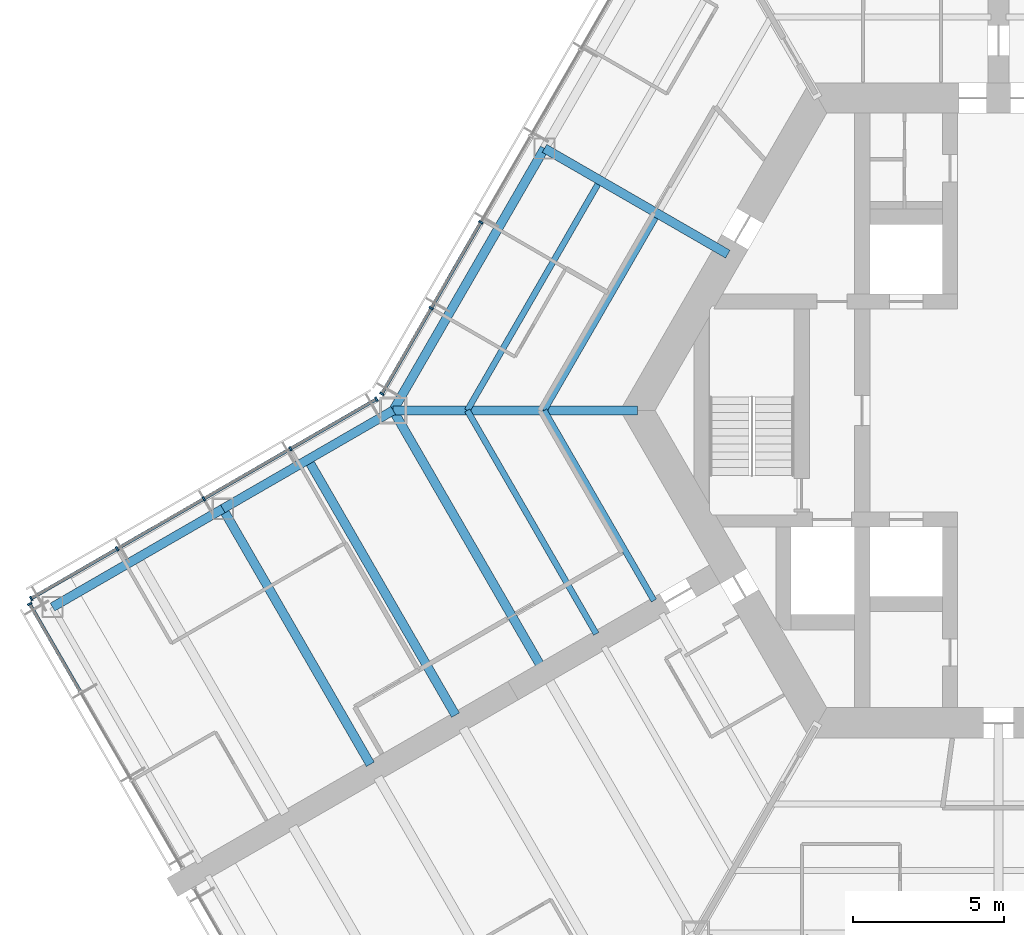
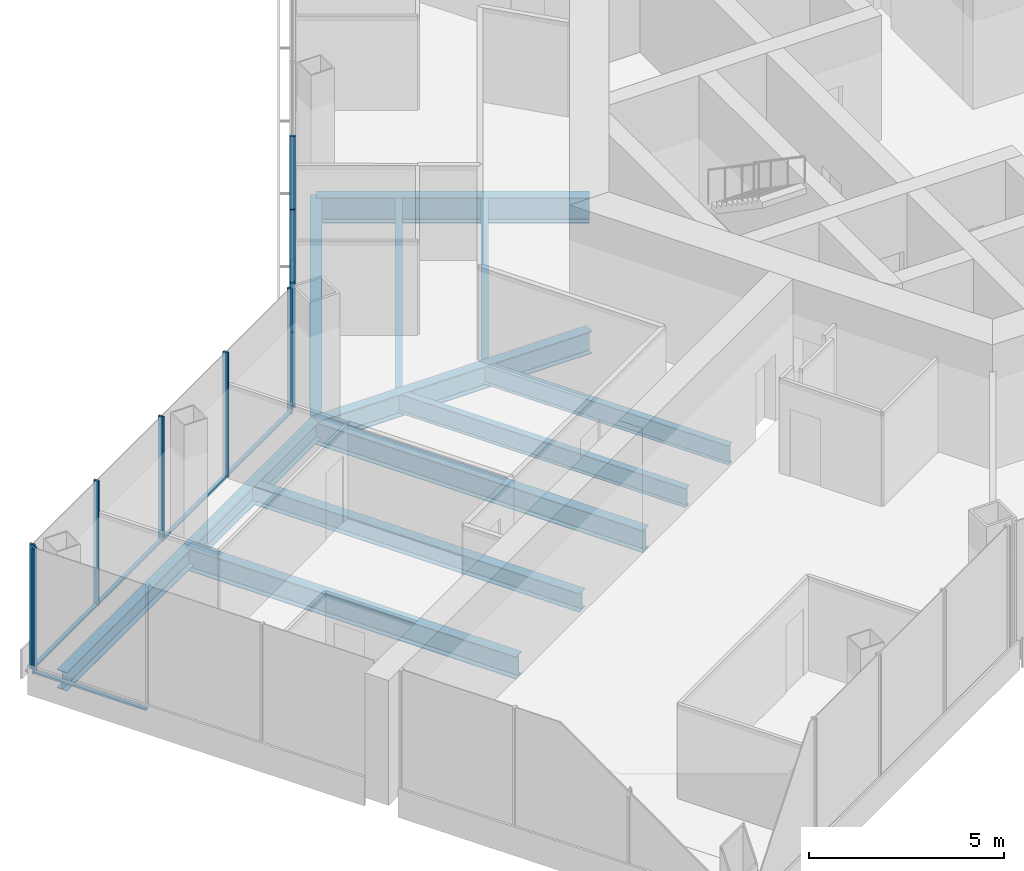
# One storey, part 4 of 18: 16 members, 12 beams, 3 elements without a shape of their own.
"""IFC4 building model written with IfcOpenShell, lengths in metres."""

from ifc_helpers import new_model, si_unit, direction, frame, origin, origin_2d, place, context, subcontext, project, spatial, rectangle, i_section, extrude, material, material_profile, profile_set, type_object, element, aggregate, save


model = new_model("IFC4")

# Units and contexts
model_context = context("Model", 3, precision=1e-05, world=origin(), true_north=direction((0.0, 1.0)))
body_context = subcontext(model_context, "Body", "Model", "MODEL_VIEW")
ifc_project = project(units=[si_unit("LENGTHUNIT", "METRE"), si_unit("AREAUNIT", "SQUARE_METRE"), si_unit("VOLUMEUNIT", "CUBIC_METRE"), si_unit("PLANEANGLEUNIT", "RADIAN"), si_unit("MASSUNIT", "GRAM", prefix="KILO")], contexts=[model_context])

# Site, building, storey
site_placement = place(None, origin())
site = spatial("IfcSite", under=ifc_project, at=site_placement, CompositionType="ELEMENT")
building_placement = place(site_placement, origin())
building = spatial("IfcBuilding", under=site, at=building_placement, Name="Kasaneha Research Tower", CompositionType="ELEMENT")
storey_placement = place(building_placement, frame((0.0, 0.0, 133.10009765625)))
storey = spatial("IfcBuildingStorey", under=building, at=storey_placement, Name="L33", CompositionType="ELEMENT", Elevation=133.10009765625)

# Beams
ifc_material_1 = material(Name="Steel SN490B", Category="steel")
ifc_material_profile_1 = material_profile(ifc_material_1, i_section(OverallWidth=0.199951171875, OverallDepth=0.60009765625, WebThickness=0.010986328125, FlangeThickness=0.01708984375, FilletRadius=0.012939453125, at=origin_2d()), Name="H-600x200x11x17")
ifc_profile_set_1 = profile_set([ifc_material_profile_1], Name="Steel SN490B")
beam_type_1 = type_object("IfcBeamType", Name="B1-3 secondary beam H-600x200x11x17", PredefinedType="JOIST", material=ifc_profile_set_1)
beam_1_placement = place(storey_placement, frame((-15.010986328125, 0.0, -0.4501953125), z_axis=(0.499994443168, 0.866028611999, 0.0), x_axis=(-0.866028611999, 0.499994443168, 0.0)))
element("IfcBeam", 1, at=beam_1_placement, inside=storey, type_object=beam_type_1, Name="Secondary beam RS150R1 L33", PredefinedType="JOIST", context=body_context, shape_type="SweptSolid", body=[
    extrude(i_section(OverallWidth=0.199951171875, OverallDepth=0.60009765625, WebThickness=0.010986328125, FlangeThickness=0.01708984375, FilletRadius=0.012939453125, at=origin_2d()), origin(), (0.0, 0.0, 1.0), 7.35546875),
])
beam_2_placement = place(storey_placement, frame((-17.551513671875, 0.0, -0.4501953125), z_axis=(0.5000050195, 0.866022505755, 0.0), x_axis=(-0.866022505755, 0.5000050195, 0.0)))
element("IfcBeam", 2, at=beam_2_placement, inside=storey, type_object=beam_type_1, Name="Secondary beam RS150R2 L33", PredefinedType="JOIST", context=body_context, shape_type="SweptSolid", body=[
    extrude(i_section(OverallWidth=0.199951171875, OverallDepth=0.60009765625, WebThickness=0.010986328125, FlangeThickness=0.01708984375, FilletRadius=0.012939453125, at=origin_2d()), origin(), (0.0, 0.0, 1.0), 8.6259765625),
])
beam_3_placement = place(storey_placement, frame((-15.010986328125, 0.0, -0.4501953125), z_axis=(0.499993340521, -0.866029248602, 0.0), x_axis=(0.866029248602, 0.499993340521, 0.0)))
element("IfcBeam", 3, at=beam_3_placement, inside=storey, type_object=beam_type_1, Name="Secondary beam RS210L1 L33", PredefinedType="JOIST", context=body_context, shape_type="SweptSolid", body=[
    extrude(i_section(OverallWidth=0.199951171875, OverallDepth=0.60009765625, WebThickness=0.010986328125, FlangeThickness=0.01708984375, FilletRadius=0.012939453125, at=origin_2d()), origin(), (0.0, 0.0, 1.0), 7.25537109375),
])
beam_4_placement = place(storey_placement, frame((-17.551513671875, 0.0, -0.4501953125), z_axis=(0.500004205306, -0.866022975836, 0.0), x_axis=(0.866022975836, 0.500004205306, 0.0)))
element("IfcBeam", 4, at=beam_4_placement, inside=storey, type_object=beam_type_1, Name="Secondary beam RS210L2 L33", PredefinedType="JOIST", context=body_context, shape_type="SweptSolid", body=[
    extrude(i_section(OverallWidth=0.199951171875, OverallDepth=0.60009765625, WebThickness=0.010986328125, FlangeThickness=0.01708984375, FilletRadius=0.012939453125, at=origin_2d()), origin(), (0.0, 0.0, 1.0), 8.52587890625),
])
ifc_material_2 = material(Name="Steel SN490B", Category="steel")
ifc_material_profile_2 = material_profile(ifc_material_2, i_section(OverallWidth=0.300048828125, OverallDepth=0.58203125, WebThickness=0.011962890625, FlangeThickness=0.01708984375, FilletRadius=0.012939453125, at=origin_2d()), Name="H-582x300x12x17")
ifc_profile_set_2 = profile_set([ifc_material_profile_2], Name="Steel SN490B")
beam_type_2 = type_object("IfcBeamType", Name="B2-3 secondary beam H-582x300x12x17", PredefinedType="JOIST", material=ifc_profile_set_2)
beam_5_placement = place(storey_placement, frame((-22.814697265625, -1.625, -0.441162109375), z_axis=(0.499995560238, -0.866027967067, 0.0), x_axis=(0.866027967067, 0.499995560238, 0.0)))
element("IfcBeam", 5, at=beam_5_placement, inside=storey, type_object=beam_type_2, Name="Secondary beam WBBP1 L33", PredefinedType="JOIST", context=body_context, shape_type="SweptSolid", body=[
    extrude(i_section(OverallWidth=0.300048828125, OverallDepth=0.58203125, WebThickness=0.011962890625, FlangeThickness=0.01708984375, FilletRadius=0.012939453125, at=origin_2d()), origin(), (0.0, 0.0, 1.0), 9.75),
])

# Curtain wall, members
ifc_material_3 = material(Name="Glass and aluminium", Category="aluminium")
curtain_wall_type = type_object("IfcCurtainWallType", Name="Mid-rise office curtain wall", PredefinedType="USERDEFINED", material=ifc_material_3)
curtain_wall_1_placement = place(storey_placement, origin())
curtain_wall_1 = element("IfcCurtainWall", 6, at=curtain_wall_1_placement, inside=storey, type_object=curtain_wall_type, Name="CW-O2 L33 run 08a", ObjectType="UNITISED CURTAIN WALL", PredefinedType="USERDEFINED")
ifc_material_4 = material(Name="Aluminium 6063-T6", Category="aluminium")
ifc_material_profile_3 = material_profile(ifc_material_4, rectangle(XDim=0.06005859375, YDim=0.14990234375, at=origin_2d()), Name="CW-O2 mullion 60x150")
ifc_profile_set_3 = profile_set([ifc_material_profile_3], Name="Aluminium 6063-T6")
member_type_1 = type_object("IfcMemberType", Name="CW-O2 mullion", PredefinedType="MULLION", material=ifc_profile_set_3)
member_1_placement = place(storey_placement, frame((-17.10107421875, 6.220947265625, 0.0), z_axis=(0.0, 0.0, 1.0), x_axis=(-0.499999979232, -0.866025415775, 0.0)))
member_1 = element("IfcMember", 7, at=member_1_placement, type_object=member_type_1, Name="CW-O2 mullion 5", PredefinedType="MULLION", context=body_context, shape_type="SweptSolid", body=[
    extrude(rectangle(XDim=0.06005859375, YDim=0.14990234375, at=origin_2d()), origin(), (0.0, 0.0, 1.0), 3.89990234375),
])
member_2_placement = place(storey_placement, frame((-18.7451171875, 3.373291015625, 0.0), z_axis=(0.0, 0.0, 1.0), x_axis=(-0.499999979232, -0.866025415775, 0.0)))
member_2 = element("IfcMember", 8, at=member_2_placement, type_object=member_type_1, Name="CW-O2 mullion 6", PredefinedType="MULLION", context=body_context, shape_type="SweptSolid", body=[
    extrude(rectangle(XDim=0.06005859375, YDim=0.14990234375, at=origin_2d()), origin(), (0.0, 0.0, 1.0), 3.89990234375),
])
member_3_placement = place(storey_placement, frame((-20.374267578125, 0.5517578125, 0.0), z_axis=(0.0, 0.0, 1.0), x_axis=(-0.499999979232, -0.866025415775, 0.0)))
member_3 = element("IfcMember", 9, at=member_3_placement, type_object=member_type_1, Name="CW-O2 mullion 7", PredefinedType="MULLION", context=body_context, shape_type="SweptSolid", body=[
    extrude(rectangle(XDim=0.06005859375, YDim=0.14990234375, at=origin_2d()), origin(), (0.0, 0.0, 1.0), 3.89990234375),
])

curtain_wall_2_placement = place(storey_placement, origin())
curtain_wall_2 = element("IfcCurtainWall", 10, at=curtain_wall_2_placement, inside=storey, type_object=curtain_wall_type, Name="CW-O2 L33 run 09a", ObjectType="UNITISED CURTAIN WALL", PredefinedType="USERDEFINED")
member_4_placement = place(storey_placement, frame((-20.5517578125, 0.374267578125, 0.0), z_axis=(0.0, 0.0, 1.0), x_axis=(-0.866025411464, -0.499999986699, 0.0)))
member_4 = element("IfcMember", 11, at=member_4_placement, type_object=member_type_1, Name="CW-O2 mullion 1", PredefinedType="MULLION", context=body_context, shape_type="SweptSolid", body=[
    extrude(rectangle(XDim=0.06005859375, YDim=0.14990234375, at=origin_2d()), origin(), (0.0, 0.0, 1.0), 3.89990234375),
])
member_5_placement = place(storey_placement, frame((-23.39208984375, -1.265625, 0.0), z_axis=(0.0, 0.0, 1.0), x_axis=(-0.866025411464, -0.499999986699, 0.0)))
member_5 = element("IfcMember", 12, at=member_5_placement, type_object=member_type_1, Name="CW-O2 mullion 2", PredefinedType="MULLION", context=body_context, shape_type="SweptSolid", body=[
    extrude(rectangle(XDim=0.06005859375, YDim=0.14990234375, at=origin_2d()), origin(), (0.0, 0.0, 1.0), 3.89990234375),
])
member_6_placement = place(storey_placement, frame((-26.258544921875, -2.920654296875, 0.0), z_axis=(0.0, 0.0, 1.0), x_axis=(-0.866025411464, -0.499999986699, 0.0)))
member_6 = element("IfcMember", 13, at=member_6_placement, type_object=member_type_1, Name="CW-O2 mullion 3", PredefinedType="MULLION", context=body_context, shape_type="SweptSolid", body=[
    extrude(rectangle(XDim=0.06005859375, YDim=0.14990234375, at=origin_2d()), origin(), (0.0, 0.0, 1.0), 3.89990234375),
])
member_7_placement = place(storey_placement, frame((-29.125, -4.575439453125, 0.0), z_axis=(0.0, 0.0, 1.0), x_axis=(-0.866025411464, -0.499999986699, 0.0)))
member_7 = element("IfcMember", 14, at=member_7_placement, type_object=member_type_1, Name="CW-O2 mullion 4", PredefinedType="MULLION", context=body_context, shape_type="SweptSolid", body=[
    extrude(rectangle(XDim=0.06005859375, YDim=0.14990234375, at=origin_2d()), origin(), (0.0, 0.0, 1.0), 3.89990234375),
])
member_8_placement = place(storey_placement, frame((-31.96533203125, -6.21533203125, 0.0), z_axis=(0.0, 0.0, 1.0), x_axis=(-0.866025411464, -0.499999986699, 0.0)))
member_8 = element("IfcMember", 15, at=member_8_placement, type_object=member_type_1, Name="CW-O2 mullion 5", PredefinedType="MULLION", context=body_context, shape_type="SweptSolid", body=[
    extrude(rectangle(XDim=0.06005859375, YDim=0.14990234375, at=origin_2d()), origin(), (0.0, 0.0, 1.0), 3.89990234375),
])

# Curtain wall, member
curtain_wall_3_placement = place(storey_placement, origin())
curtain_wall_3 = element("IfcCurtainWall", 16, at=curtain_wall_3_placement, inside=storey, type_object=curtain_wall_type, Name="CW-O2 L33 run 10a", ObjectType="UNITISED CURTAIN WALL", PredefinedType="USERDEFINED")
member_9_placement = place(storey_placement, frame((-32.012939453125, -6.39306640625, 0.0), z_axis=(0.0, 0.0, 1.0), x_axis=(0.500000011442, -0.866025397178, 0.0)))
member_9 = element("IfcMember", 17, at=member_9_placement, type_object=member_type_1, Name="CW-O2 mullion 1", PredefinedType="MULLION", context=body_context, shape_type="SweptSolid", body=[
    extrude(rectangle(XDim=0.06005859375, YDim=0.14990234375, at=origin_2d()), origin(), (0.0, 0.0, 1.0), 3.89990234375),
])

# Member
ifc_material_5 = material(Name="Aluminium 6063-T6", Category="aluminium")
ifc_material_profile_4 = material_profile(ifc_material_5, rectangle(XDim=0.110107421875, YDim=0.06005859375, at=origin_2d()), Name="CW-O2 transom 110x60")
ifc_profile_set_4 = profile_set([ifc_material_profile_4], Name="Aluminium 6063-T6")
member_type_2 = type_object("IfcMemberType", Name="CW-O2 transom", PredefinedType="USERDEFINED", material=ifc_profile_set_4)
member_10_placement = place(storey_placement, frame((-17.1162109375, 6.195068359375, 0.02978515625), z_axis=(-0.499986503906, -0.866033195618, 0.0), x_axis=(0.866033195618, -0.499986503906, 0.0)))
member_10 = element("IfcMember", 18, at=member_10_placement, type_object=member_type_2, Name="CW-O2 transom 5", ObjectType="TRANSOM", PredefinedType="USERDEFINED", context=body_context, shape_type="SweptSolid", body=[
    extrude(rectangle(XDim=0.110107421875, YDim=0.06005859375, at=origin_2d()), origin(), (0.0, 0.0, 1.0), 3.22802734375),
])

member_11_placement = place(storey_placement, frame((-18.76025390625, 3.347412109375, 0.02978515625), z_axis=(-0.499973578025, -0.866040657981, 0.0), x_axis=(0.866040657981, -0.499973578025, 0.0)))
member_11 = element("IfcMember", 19, at=member_11_placement, type_object=member_type_2, Name="CW-O2 transom 6", ObjectType="TRANSOM", PredefinedType="USERDEFINED", context=body_context, shape_type="SweptSolid", body=[
    extrude(rectangle(XDim=0.110107421875, YDim=0.06005859375, at=origin_2d()), origin(), (0.0, 0.0, 1.0), 3.197998046875),
])

aggregate(curtain_wall_1, [member_1, member_2, member_3, member_10, member_11])

member_12_placement = place(storey_placement, frame((-20.577880859375, 0.359130859375, 0.02978515625), z_axis=(-0.866022692473, -0.500004696101, 0.0), x_axis=(0.500004696101, -0.866022692473, 0.0)))
member_12 = element("IfcMember", 20, at=member_12_placement, type_object=member_type_2, Name="CW-O2 transom 1", ObjectType="TRANSOM", PredefinedType="USERDEFINED", context=body_context, shape_type="SweptSolid", body=[
    extrude(rectangle(XDim=0.110107421875, YDim=0.06005859375, at=origin_2d()), origin(), (0.0, 0.0, 1.0), 3.2197265625),
])

member_13_placement = place(storey_placement, frame((-23.418212890625, -1.28076171875, 0.02978515625), z_axis=(-0.86604797581, -0.499960902066, 0.0), x_axis=(0.499960902066, -0.86604797581, 0.0)))
member_13 = element("IfcMember", 21, at=member_13_placement, type_object=member_type_2, Name="CW-O2 transom 2", ObjectType="TRANSOM", PredefinedType="USERDEFINED", context=body_context, shape_type="SweptSolid", body=[
    extrude(rectangle(XDim=0.110107421875, YDim=0.06005859375, at=origin_2d()), origin(), (0.0, 0.0, 1.0), 3.249755859375),
])

member_14_placement = place(storey_placement, frame((-26.28466796875, -2.935546875, 0.02978515625), z_axis=(-0.86599666273, -0.500049777664, 0.0), x_axis=(0.500049777664, -0.86599666273, 0.0)))
member_14 = element("IfcMember", 22, at=member_14_placement, type_object=member_type_2, Name="CW-O2 transom 3", ObjectType="TRANSOM", PredefinedType="USERDEFINED", context=body_context, shape_type="SweptSolid", body=[
    extrude(rectangle(XDim=0.110107421875, YDim=0.06005859375, at=origin_2d()), origin(), (0.0, 0.0, 1.0), 3.249755859375),
])

member_15_placement = place(storey_placement, frame((-29.15087890625, -4.590576171875, 0.02978515625), z_axis=(-0.866041647767, -0.499971863542, 0.0), x_axis=(0.499971863542, -0.866041647767, 0.0)))
member_15 = element("IfcMember", 23, at=member_15_placement, type_object=member_type_2, Name="CW-O2 transom 4", ObjectType="TRANSOM", PredefinedType="USERDEFINED", context=body_context, shape_type="SweptSolid", body=[
    extrude(rectangle(XDim=0.110107421875, YDim=0.06005859375, at=origin_2d()), origin(), (0.0, 0.0, 1.0), 3.219970703125),
])

aggregate(curtain_wall_2, [member_4, member_5, member_6, member_7, member_8, member_12, member_13, member_14, member_15])

member_16_placement = place(storey_placement, frame((-31.998046875, -6.4189453125, 0.02978515625), z_axis=(0.500021914551, -0.866012751043, 0.0), x_axis=(0.866012751043, 0.500021914551, 0.0)))
member_16 = element("IfcMember", 24, at=member_16_placement, type_object=member_type_2, Name="CW-O2 transom 1", ObjectType="TRANSOM", PredefinedType="USERDEFINED", context=body_context, shape_type="SweptSolid", body=[
    extrude(rectangle(XDim=0.110107421875, YDim=0.06005859375, at=origin_2d()), origin(), (0.0, 0.0, 1.0), 3.293212890625),
])

aggregate(curtain_wall_3, [member_9, member_16])

# Beams
ifc_material_6 = material(Name="Steel SN490B", Category="steel")
ifc_material_profile_5 = material_profile(ifc_material_6, i_section(OverallWidth=0.300048828125, OverallDepth=0.699951171875, WebThickness=0.012939453125, FlangeThickness=0.02392578125, FilletRadius=0.01806640625, at=origin_2d()), Name="H-700x300x13x24")
ifc_profile_set_5 = profile_set([ifc_material_profile_5], Name="Steel SN490B")
beam_type_3 = type_object("IfcBeamType", Name="G1-3 radial girder H-700x300x13x24", PredefinedType="BEAM", material=ifc_profile_set_5)
beam_6_placement = place(storey_placement, frame((-11.92236328125, 0.0, -0.5), z_axis=(-1.0, 0.0, 0.0), x_axis=(0.0, -1.0, 0.0)))
element("IfcBeam", 25, at=beam_6_placement, inside=storey, type_object=beam_type_3, Name="Radial girder RV180 L33", PredefinedType="BEAM", context=body_context, shape_type="SweptSolid", body=[
    extrude(i_section(OverallWidth=0.300048828125, OverallDepth=0.699951171875, WebThickness=0.012939453125, FlangeThickness=0.02392578125, FilletRadius=0.01806640625, at=origin_2d()), origin(), (0.0, 0.0, 1.0), 8.07763671875),
])
ifc_material_7 = material(Name="Steel SN490B", Category="steel")
ifc_material_profile_6 = material_profile(ifc_material_7, i_section(OverallWidth=0.300048828125, OverallDepth=0.800048828125, WebThickness=0.013916015625, FlangeThickness=0.02587890625, FilletRadius=0.01806640625, at=origin_2d()), Name="H-800x300x14x26")
ifc_profile_set_6 = profile_set([ifc_material_profile_6], Name="Steel SN490B")
beam_type_4 = type_object("IfcBeamType", Name="G2-3 radial girder H-800x300x14x26", PredefinedType="BEAM", material=ifc_profile_set_6)
beam_7_placement = place(storey_placement, frame((-8.941650390625, 5.16259765625, -0.550048828125), z_axis=(-0.866039713508, 0.499975214012, 0.0), x_axis=(-0.499975214012, -0.866039713508, 0.0)))
element("IfcBeam", 26, at=beam_7_placement, inside=storey, type_object=beam_type_4, Name="Radial girder RM150 L33", PredefinedType="BEAM", context=body_context, shape_type="SweptSolid", body=[
    extrude(i_section(OverallWidth=0.300048828125, OverallDepth=0.800048828125, WebThickness=0.013916015625, FlangeThickness=0.02587890625, FilletRadius=0.01806640625, at=origin_2d()), origin(), (0.0, 0.0, 1.0), 6.995361328125),
])
ifc_material_8 = material(Name="Steel SN490B", Category="steel")
ifc_material_profile_7 = material_profile(ifc_material_8, i_section(OverallWidth=0.300048828125, OverallDepth=0.69189453125, WebThickness=0.012939453125, FlangeThickness=0.02001953125, FilletRadius=0.01806640625, at=origin_2d()), Name="H-692x300x13x20")
ifc_profile_set_7 = profile_set([ifc_material_profile_7], Name="Steel SN490B")
beam_type_5 = type_object("IfcBeamType", Name="G3-3 plate edge girder H-692x300x13x20", PredefinedType="BEAM", material=ifc_profile_set_7)
beam_8_placement = place(storey_placement, frame((-20.0, 0.0, -0.49609375), z_axis=(0.499995560238, -0.866027967067, 0.0), x_axis=(0.866027967067, 0.499995560238, 0.0)))
element("IfcBeam", 27, at=beam_8_placement, inside=storey, type_object=beam_type_5, Name="Plate edge girder PEBP L33", PredefinedType="BEAM", context=body_context, shape_type="SweptSolid", body=[
    extrude(i_section(OverallWidth=0.300048828125, OverallDepth=0.69189453125, WebThickness=0.012939453125, FlangeThickness=0.02001953125, FilletRadius=0.01806640625, at=origin_2d()), origin(), (0.0, 0.0, 1.0), 9.75),
])
ifc_material_9 = material(Name="Steel SN490B", Category="steel")
ifc_material_profile_8 = material_profile(ifc_material_9, i_section(OverallWidth=0.300048828125, OverallDepth=0.699951171875, WebThickness=0.012939453125, FlangeThickness=0.02392578125, FilletRadius=0.01806640625, at=origin_2d()), Name="H-700x300x13x24")
ifc_profile_set_8 = profile_set([ifc_material_profile_8], Name="Steel SN490B")
beam_type_6 = type_object("IfcBeamType", Name="G4-3 wing girder H-700x300x13x24", PredefinedType="BEAM", material=ifc_profile_set_8)
beam_9_placement = place(storey_placement, frame((-25.629150390625, -3.25, -0.5), z_axis=(0.499995560238, -0.866027967067, 0.0), x_axis=(0.866027967067, 0.499995560238, 0.0)))
element("IfcBeam", 28, at=beam_9_placement, inside=storey, type_object=beam_type_6, Name="Wing girder WGBP L33", PredefinedType="BEAM", context=body_context, shape_type="SweptSolid", body=[
    extrude(i_section(OverallWidth=0.300048828125, OverallDepth=0.699951171875, WebThickness=0.012939453125, FlangeThickness=0.02392578125, FilletRadius=0.01806640625, at=origin_2d()), origin(), (0.0, 0.0, 1.0), 9.75),
])
ifc_material_10 = material(Name="Steel SN490B", Category="steel")
ifc_material_profile_9 = material_profile(ifc_material_10, i_section(OverallWidth=0.300048828125, OverallDepth=0.69189453125, WebThickness=0.012939453125, FlangeThickness=0.02001953125, FilletRadius=0.01806640625, at=origin_2d()), Name="H-692x300x13x20")
ifc_profile_set_9 = profile_set([ifc_material_profile_9], Name="Steel SN490B")
beam_type_7 = type_object("IfcBeamType", Name="SB1-3 spandrel beam H-692x300x13x20", PredefinedType="SPANDREL", material=ifc_profile_set_9)
beam_10_placement = place(storey_placement, frame((-20.0, 0.0, -0.49609375), z_axis=(0.500004234368, 0.866022959057, 0.0), x_axis=(-0.866022959057, 0.500004234368, 0.0)))
element("IfcBeam", 29, at=beam_10_placement, inside=storey, type_object=beam_type_7, Name="Spandrel beam SR150R L33", PredefinedType="SPANDREL", context=body_context, shape_type="SweptSolid", body=[
    extrude(i_section(OverallWidth=0.300048828125, OverallDepth=0.69189453125, WebThickness=0.012939453125, FlangeThickness=0.02001953125, FilletRadius=0.01806640625, at=origin_2d()), origin(), (0.0, 0.0, 1.0), 10.0),
])
ifc_material_11 = material(Name="Steel SN490B", Category="steel")
ifc_material_profile_10 = material_profile(ifc_material_11, i_section(OverallWidth=0.300048828125, OverallDepth=0.58203125, WebThickness=0.011962890625, FlangeThickness=0.01708984375, FilletRadius=0.012939453125, at=origin_2d()), Name="H-582x300x12x17")
ifc_profile_set_10 = profile_set([ifc_material_profile_10], Name="Steel SN490B")
beam_type_8 = type_object("IfcBeamType", Name="SB2-3 spandrel beam H-582x300x12x17", PredefinedType="SPANDREL", material=ifc_profile_set_10)
for number, where, z_axis, x_axis, name in (
    (30, (-20.0, 0.0, -0.441162109375), (-0.866024837091, -0.50000098154, 0.0), (0.50000098154, -0.866024837091, 0.0), "Spandrel beam WSBP1 L33"),
    (31, (-25.629150390625, -3.25, -0.441162109375), (-0.866024837091, -0.50000098154, 0.0), (0.50000098154, -0.866024837091, 0.0), "Spandrel beam WSBP2 L33"),
):
    element("IfcBeam", number, at=place(storey_placement, frame(where, z_axis=z_axis, x_axis=x_axis)), inside=storey, type_object=beam_type_8, Name=name, PredefinedType="SPANDREL", context=body_context, shape_type="SweptSolid", body=[
        extrude(i_section(OverallWidth=0.300048828125, OverallDepth=0.58203125, WebThickness=0.011962890625, FlangeThickness=0.01708984375, FilletRadius=0.012939453125, at=origin_2d()), origin(), (0.0, 0.0, 1.0), 6.5),
    ])

save(model, "model.ifc")
